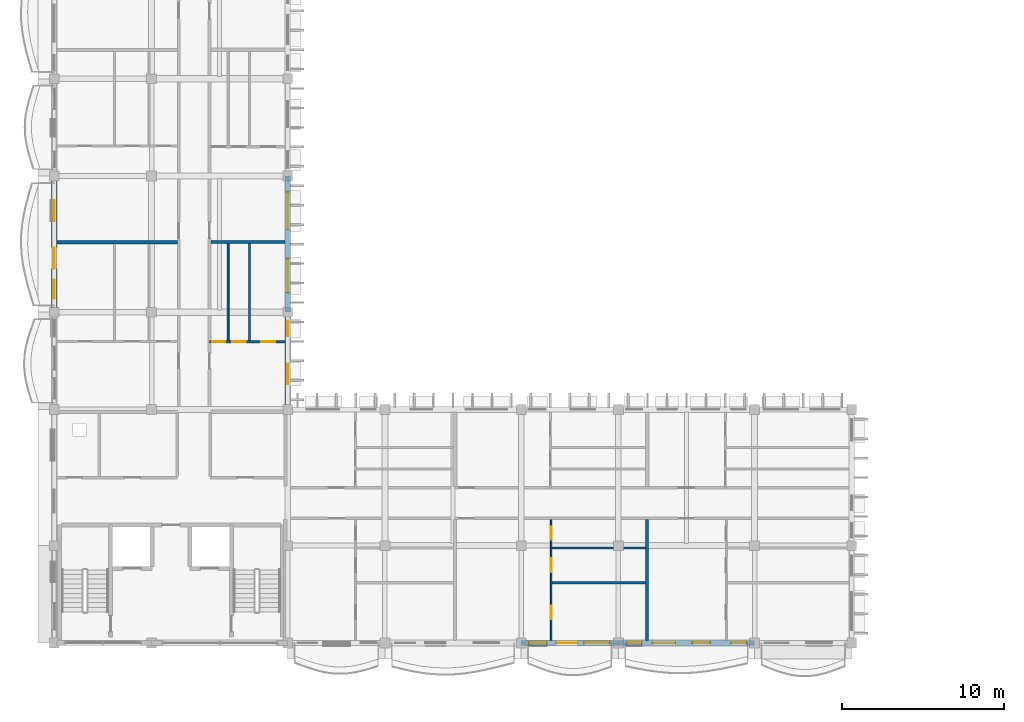
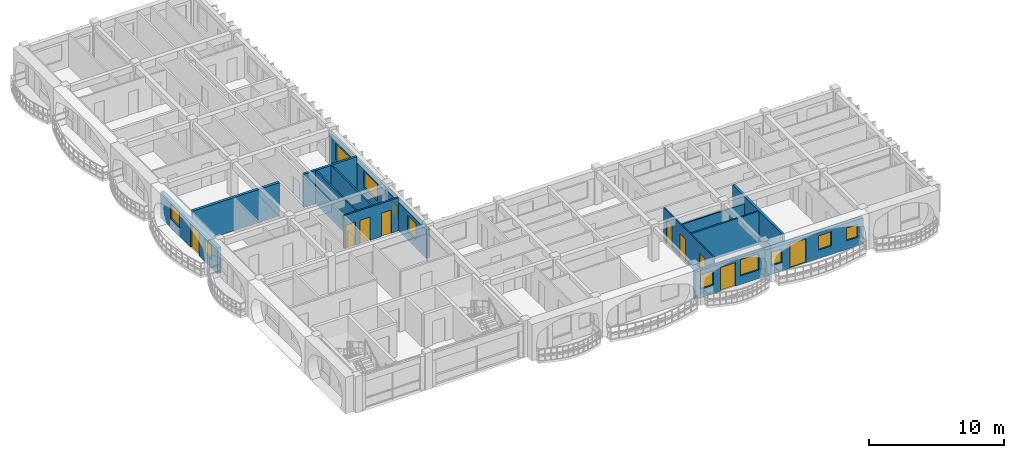
# One storey, part 16 of 70: 14 walls, 11 windows, 9 doors, 20 openings.
"""IFC4 building model written with IfcOpenShell, lengths in metres."""

from ifc_helpers import new_model, si_unit, direction, frame, frame_2d, origin, place, context, subcontext, project, spatial, rectangle, extrude, material, layer, layer_set, type_object, element, fill, save


model = new_model("IFC4")

# Units and contexts
model_context = context("Model", 3, precision=1e-05, world=origin(), true_north=direction((0.0, 1.0)))
body_context = subcontext(model_context, "Body", "Model", "MODEL_VIEW")
ifc_project = project(units=[si_unit("LENGTHUNIT", "METRE"), si_unit("AREAUNIT", "SQUARE_METRE"), si_unit("VOLUMEUNIT", "CUBIC_METRE"), si_unit("PLANEANGLEUNIT", "RADIAN"), si_unit("MASSUNIT", "GRAM", prefix="KILO"), si_unit("THERMODYNAMICTEMPERATUREUNIT", "KELVIN")], contexts=[model_context])

# Site, building, storey
site_placement = place(None, origin())
site = spatial("IfcSite", under=ifc_project, at=site_placement, CompositionType="ELEMENT")
building_placement = place(site_placement, origin())
building = spatial("IfcBuilding", under=site, at=building_placement, Name="Thalorik Housing Commons", CompositionType="ELEMENT")
storey_placement = place(building_placement, frame((0.0, 0.0, 14.699951171875)))
storey = spatial("IfcBuildingStorey", under=building, at=storey_placement, Name="L04", CompositionType="ELEMENT", Elevation=14.699951171875)

# Wall, openings, windows
ifc_material_1 = material(Name="White precast concrete C40/50", Category="concrete")
ifc_layer_1 = layer(ifc_material_1, 0.320068359375, Name="White precast concrete C40/50", Category="concrete")
ifc_layer_set_1 = layer_set([ifc_layer_1], Name="White precast concrete C40/50")
wall_type_1 = type_object("IfcWallType", Name="ARC-WAL-EXT-320", PredefinedType="STANDARD", material=ifc_layer_set_1)
wall_1_placement = place(storey_placement, frame((22.800048828125, 22.800048828125, 0.0), z_axis=(0.0, 0.0, 1.0), x_axis=(0.0, 1.0, 0.0)))
wall_1 = element("IfcWall", 1, at=wall_1_placement, inside=storey, type_object=wall_type_1, Name="L04 Exterior Wall WAL-EXT-L04-C-0933", PredefinedType="STANDARD", context=body_context, shape_type="SweptSolid", body=[
    extrude(rectangle(XDim=6.0, YDim=0.320068359375, at=frame_2d((3.0, 0.0))), origin(), (0.0, 0.0, 1.0), 2.574951171875),
])
opening_1_placement = place(wall_1_placement, frame((1.560302734375, 0.0, 0.780029296875)))
opening_1 = element("IfcOpeningElement", 2, at=opening_1_placement, cuts=wall_1, Name="Opening W-47", PredefinedType="OPENING", context=body_context, shape_type="SweptSolid", body=[
    extrude(rectangle(XDim=1.25, YDim=1.449951171875, at=frame_2d((0.625, 0.72509765625))), frame((0.0, 0.169921875, 0.0), z_axis=(0.0, -1.0, 0.0), x_axis=(1.0, 0.0, 0.0)), (0.0, 0.0, 1.0), 0.340087890625),
])
opening_2_placement = place(wall_1_placement, frame((4.5205078125, 0.0, 0.780029296875)))
opening_2 = element("IfcOpeningElement", 3, at=opening_2_placement, cuts=wall_1, Name="Opening W-43", PredefinedType="OPENING", context=body_context, shape_type="SweptSolid", body=[
    extrude(rectangle(XDim=0.949951171875, YDim=1.14990234375, at=frame_2d((0.47509765625, 0.574951171875))), frame((0.0, 0.169921875, 0.0), z_axis=(0.0, -1.0, 0.0), x_axis=(1.0, 0.0, 0.0)), (0.0, 0.0, 1.0), 0.340087890625),
])
ifc_material_2 = material(Name="Anodised aluminium and solar-control low-E glass", Category="aluminium")
window_type_1 = type_object("IfcWindowType", Name="ARC-WIN-43", PartitioningType="SINGLE_PANEL", PredefinedType="WINDOW", material=ifc_material_2)
window_1_placement = place(opening_2_placement, origin())
window_1 = element("IfcWindow", 4, at=window_1_placement, inside=storey, type_object=window_type_1, Name="L04 Facade Window 1721", OverallHeight=1.14990234375, OverallWidth=0.949951171875, PartitioningType="SINGLE_PANEL", PredefinedType="WINDOW", context=body_context, shape_type="SweptSolid", body=[
    extrude(rectangle(XDim=0.949951171875, YDim=1.14990234375, at=frame_2d((0.47509765625, 0.574951171875))), frame((0.0, 0.030029296875, 0.0), z_axis=(0.0, -1.0, 0.0), x_axis=(1.0, 0.0, 0.0)), (0.0, 0.0, 1.0), 0.06005859375),
])
fill(opening_2, window_1)
window_type_2 = type_object("IfcWindowType", Name="ARC-WIN-47", PartitioningType="SINGLE_PANEL", PredefinedType="WINDOW", material=ifc_material_2)
window_2_placement = place(opening_1_placement, origin())
window_2 = element("IfcWindow", 5, at=window_2_placement, inside=storey, type_object=window_type_2, Name="L04 Facade Window 1720", OverallHeight=1.449951171875, OverallWidth=1.25, PartitioningType="SINGLE_PANEL", PredefinedType="WINDOW", context=body_context, shape_type="SweptSolid", body=[
    extrude(rectangle(XDim=1.25, YDim=1.449951171875, at=frame_2d((0.625, 0.72509765625))), frame((0.0, 0.030029296875, 0.0), z_axis=(0.0, -1.0, 0.0), x_axis=(1.0, 0.0, 0.0)), (0.0, 0.0, 1.0), 0.06005859375),
])
fill(opening_1, window_2)

wall_2_placement = place(storey_placement, frame((22.800048828125, 28.800048828125, 0.0), z_axis=(0.0, 0.0, 1.0), x_axis=(0.0, 1.0, 0.0)))
wall_2 = element("IfcWall", 6, at=wall_2_placement, inside=storey, type_object=wall_type_1, Name="L04 Exterior Wall WAL-EXT-L04-C-0934", PredefinedType="STANDARD", context=body_context, shape_type="SweptSolid", body=[
    extrude(rectangle(XDim=8.39990234375, YDim=0.320068359375, at=frame_2d((4.199951171875, 0.0))), origin(), (0.0, 0.0, 1.0), 2.425048828125),
])
opening_3_placement = place(wall_2_placement, frame((1.215087890625, 0.0, 0.780029296875)))
opening_3 = element("IfcOpeningElement", 7, at=opening_3_placement, cuts=wall_2, Name="Opening W-63", PredefinedType="OPENING", context=body_context, shape_type="SweptSolid", body=[
    extrude(rectangle(XDim=2.080078125, YDim=1.52001953125, at=frame_2d((1.0400390625, 0.760009765625))), frame((0.0, 0.169921875, 0.0), z_axis=(0.0, -1.0, 0.0), x_axis=(1.0, 0.0, 0.0)), (0.0, 0.0, 1.0), 0.340087890625),
])
opening_4_placement = place(wall_2_placement, frame((5.10498046875, 0.0, 0.780029296875)))
opening_4 = element("IfcOpeningElement", 8, at=opening_4_placement, cuts=wall_2, Name="Opening W-68", PredefinedType="OPENING", context=body_context, shape_type="SweptSolid", body=[
    extrude(rectangle(XDim=2.320068359375, YDim=1.5, at=frame_2d((1.16015625, 0.75))), frame((0.0, 0.169921875, 0.0), z_axis=(0.0, -1.0, 0.0), x_axis=(1.0, 0.0, 0.0)), (0.0, 0.0, 1.0), 0.340087890625),
])
window_type_3 = type_object("IfcWindowType", Name="ARC-WIN-63", PartitioningType="DOUBLE_PANEL_VERTICAL", PredefinedType="WINDOW", material=ifc_material_2)
window_3_placement = place(opening_3_placement, origin())
window_3 = element("IfcWindow", 9, at=window_3_placement, inside=storey, type_object=window_type_3, Name="L04 Facade Window 1722", OverallHeight=1.52001953125, OverallWidth=2.080078125, PartitioningType="DOUBLE_PANEL_VERTICAL", PredefinedType="WINDOW", context=body_context, shape_type="SweptSolid", body=[
    extrude(rectangle(XDim=2.080078125, YDim=1.52001953125, at=frame_2d((1.0400390625, 0.760009765625))), frame((0.0, 0.030029296875, 0.0), z_axis=(0.0, -1.0, 0.0), x_axis=(1.0, 0.0, 0.0)), (0.0, 0.0, 1.0), 0.06005859375),
])
fill(opening_3, window_3)
window_type_4 = type_object("IfcWindowType", Name="ARC-WIN-68", PartitioningType="DOUBLE_PANEL_VERTICAL", PredefinedType="WINDOW", material=ifc_material_2)
window_4_placement = place(opening_4_placement, origin())
window_4 = element("IfcWindow", 10, at=window_4_placement, inside=storey, type_object=window_type_4, Name="L04 Facade Window 1723", OverallHeight=1.5, OverallWidth=2.320068359375, PartitioningType="DOUBLE_PANEL_VERTICAL", PredefinedType="WINDOW", context=body_context, shape_type="SweptSolid", body=[
    extrude(rectangle(XDim=2.320068359375, YDim=1.5, at=frame_2d((1.16015625, 0.75))), frame((0.0, 0.030029296875, 0.0), z_axis=(0.0, -1.0, 0.0), x_axis=(1.0, 0.0, 0.0)), (0.0, 0.0, 1.0), 0.06005859375),
])
fill(opening_4, window_4)

# Wall, openings, door, windows
wall_3_placement = place(storey_placement, frame((8.39990234375, 37.199951171875, 0.0), z_axis=(0.0, 0.0, 1.0), x_axis=(0.0, -1.0, 0.0)))
wall_3 = element("IfcWall", 11, at=wall_3_placement, inside=storey, type_object=wall_type_1, Name="L04 Exterior Wall WAL-EXT-L04-C-0943", PredefinedType="STANDARD", context=body_context, shape_type="SweptSolid", body=[
    extrude(rectangle(XDim=8.39990234375, YDim=0.320068359375, at=frame_2d((4.199951171875, 0.0))), origin(), (0.0, 0.0, 1.0), 2.344970703125),
])
opening_5_placement = place(wall_3_placement, frame((4.409912109375, 0.0, 0.0)))
opening_5 = element("IfcOpeningElement", 12, at=opening_5_placement, cuts=wall_3, Name="Opening ED-0311", PredefinedType="OPENING", context=body_context, shape_type="SweptSolid", body=[
    extrude(rectangle(XDim=1.300048828125, YDim=2.14990234375, at=frame_2d((0.64990234375, 1.074951171875))), frame((0.0, 0.169921875, 0.0), z_axis=(0.0, -1.0, 0.0), x_axis=(1.0, 0.0, 0.0)), (0.0, 0.0, 1.0), 0.340087890625),
])
opening_6_placement = place(wall_3_placement, frame((1.485107421875, 0.0, 0.780029296875)))
opening_6 = element("IfcOpeningElement", 13, at=opening_6_placement, cuts=wall_3, Name="Opening W-06", PredefinedType="OPENING", context=body_context, shape_type="SweptSolid", body=[
    extrude(rectangle(XDim=1.300048828125, YDim=1.39990234375, at=frame_2d((0.64990234375, 0.699951171875))), frame((0.0, 0.169921875, 0.0), z_axis=(0.0, -1.0, 0.0), x_axis=(1.0, 0.0, 0.0)), (0.0, 0.0, 1.0), 0.340087890625),
])
opening_7_placement = place(wall_3_placement, frame((6.409912109375, 0.0, 0.780029296875)))
opening_7 = element("IfcOpeningElement", 14, at=opening_7_placement, cuts=wall_3, Name="Opening W-45", PredefinedType="OPENING", context=body_context, shape_type="SweptSolid", body=[
    extrude(rectangle(XDim=1.14990234375, YDim=1.25, at=frame_2d((0.574951171875, 0.625))), frame((0.0, 0.169921875, 0.0), z_axis=(0.0, -1.0, 0.0), x_axis=(1.0, 0.0, 0.0)), (0.0, 0.0, 1.0), 0.340087890625),
])
ifc_material_3 = material(Name="Anodised aluminium and laminated safety glass", Category="aluminium")
door_type_1 = type_object("IfcDoorType", Name="ARC-DR-BAL-1300", OperationType="NOTDEFINED", PredefinedType="DOOR", material=ifc_material_3)
door_1_placement = place(opening_5_placement, frame((1.300048828125, 0.0, 0.0), z_axis=(0.0, 0.0, 1.0), x_axis=(-1.0, 0.0, 0.0)))
door_1 = element("IfcDoor", 15, at=door_1_placement, inside=storey, type_object=door_type_1, Name="L04 Block C Balcony Glazed Door", OperationType="SINGLE_SWING_RIGHT", OverallHeight=2.14990234375, OverallWidth=1.300048828125, PredefinedType="DOOR", context=body_context, shape_type="SweptSolid", body=[
    extrude(rectangle(XDim=1.300048828125, YDim=2.14990234375, at=frame_2d((0.64990234375, 1.074951171875))), frame((0.0, 0.02490234375, 0.0), z_axis=(0.0, -1.0, 0.0), x_axis=(1.0, 0.0, 0.0)), (0.0, 0.0, 1.0), 0.050048828125),
])
fill(opening_5, door_1)
window_type_5 = type_object("IfcWindowType", Name="ARC-WIN-06", PartitioningType="SINGLE_PANEL", PredefinedType="WINDOW", material=ifc_material_2)
window_5_placement = place(opening_6_placement, origin())
window_5 = element("IfcWindow", 16, at=window_5_placement, inside=storey, type_object=window_type_5, Name="L04 Facade Window 1743", OverallHeight=1.39990234375, OverallWidth=1.300048828125, PartitioningType="SINGLE_PANEL", PredefinedType="WINDOW", context=body_context, shape_type="SweptSolid", body=[
    extrude(rectangle(XDim=1.300048828125, YDim=1.39990234375, at=frame_2d((0.64990234375, 0.699951171875))), frame((0.0, 0.030029296875, 0.0), z_axis=(0.0, -1.0, 0.0), x_axis=(1.0, 0.0, 0.0)), (0.0, 0.0, 1.0), 0.06005859375),
])
fill(opening_6, window_5)
window_type_6 = type_object("IfcWindowType", Name="ARC-WIN-45", PartitioningType="SINGLE_PANEL", PredefinedType="WINDOW", material=ifc_material_2)
window_6_placement = place(opening_7_placement, origin())
window_6 = element("IfcWindow", 17, at=window_6_placement, inside=storey, type_object=window_type_6, Name="L04 Facade Window 1744", OverallHeight=1.25, OverallWidth=1.14990234375, PartitioningType="SINGLE_PANEL", PredefinedType="WINDOW", context=body_context, shape_type="SweptSolid", body=[
    extrude(rectangle(XDim=1.14990234375, YDim=1.25, at=frame_2d((0.574951171875, 0.625))), frame((0.0, 0.030029296875, 0.0), z_axis=(0.0, -1.0, 0.0), x_axis=(1.0, 0.0, 0.0)), (0.0, 0.0, 1.0), 0.06005859375),
])
fill(opening_7, window_6)

wall_4_placement = place(storey_placement, frame((37.199951171875, 8.39990234375, 0.0), z_axis=(0.0, 0.0, 1.0), x_axis=(1.0, 0.0, 0.0)))
wall_4 = element("IfcWall", 18, at=wall_4_placement, inside=storey, type_object=wall_type_1, Name="L04 Exterior Wall WAL-EXT-L04-C-0951", PredefinedType="STANDARD", context=body_context, shape_type="SweptSolid", body=[
    extrude(rectangle(XDim=6.0, YDim=0.320068359375, at=frame_2d((3.0, 0.0))), origin(), (0.0, 0.0, 1.0), 2.47509765625),
])
opening_8_placement = place(wall_4_placement, frame((2.179931640625, 0.0, 0.0)))
opening_8 = element("IfcOpeningElement", 19, at=opening_8_placement, cuts=wall_4, Name="Opening ED-0315", PredefinedType="OPENING", context=body_context, shape_type="SweptSolid", body=[
    extrude(rectangle(XDim=1.300048828125, YDim=2.14990234375, at=frame_2d((0.64990234375, 1.074951171875))), frame((0.0, 0.169921875, 0.0), z_axis=(0.0, -1.0, 0.0), x_axis=(1.0, 0.0, 0.0)), (0.0, 0.0, 1.0), 0.340087890625),
])
opening_9_placement = place(wall_4_placement, frame((0.469970703125, 0.0, 0.780029296875)))
opening_9 = element("IfcOpeningElement", 20, at=opening_9_placement, cuts=wall_4, Name="Opening W-03", PredefinedType="OPENING", context=body_context, shape_type="SweptSolid", body=[
    extrude(rectangle(XDim=1.10009765625, YDim=1.300048828125, at=frame_2d((0.550048828125, 0.64990234375))), frame((0.0, 0.169921875, 0.0), z_axis=(0.0, -1.0, 0.0), x_axis=(1.0, 0.0, 0.0)), (0.0, 0.0, 1.0), 0.340087890625),
])
opening_10_placement = place(wall_4_placement, frame((3.8798828125, 0.0, 0.780029296875)))
opening_10 = element("IfcOpeningElement", 21, at=opening_10_placement, cuts=wall_4, Name="Opening W-53", PredefinedType="OPENING", context=body_context, shape_type="SweptSolid", body=[
    extrude(rectangle(XDim=1.580078125, YDim=1.47998046875, at=frame_2d((0.7900390625, 0.739990234375))), frame((0.0, 0.169921875, 0.0), z_axis=(0.0, -1.0, 0.0), x_axis=(1.0, 0.0, 0.0)), (0.0, 0.0, 1.0), 0.340087890625),
])
door_2_placement = place(opening_8_placement, frame((1.300048828125, 0.0, 0.0), z_axis=(0.0, 0.0, 1.0), x_axis=(-1.0, 0.0, 0.0)))
door_2 = element("IfcDoor", 22, at=door_2_placement, inside=storey, type_object=door_type_1, Name="L04 Block C Balcony Glazed Door", OperationType="SINGLE_SWING_RIGHT", OverallHeight=2.14990234375, OverallWidth=1.300048828125, PredefinedType="DOOR", context=body_context, shape_type="SweptSolid", body=[
    extrude(rectangle(XDim=1.300048828125, YDim=2.14990234375, at=frame_2d((0.64990234375, 1.074951171875))), frame((0.0, 0.02490234375, 0.0), z_axis=(0.0, -1.0, 0.0), x_axis=(1.0, 0.0, 0.0)), (0.0, 0.0, 1.0), 0.050048828125),
])
fill(opening_8, door_2)
window_type_7 = type_object("IfcWindowType", Name="ARC-WIN-03", PartitioningType="SINGLE_PANEL", PredefinedType="WINDOW", material=ifc_material_2)
window_7_placement = place(opening_9_placement, origin())
window_7 = element("IfcWindow", 23, at=window_7_placement, inside=storey, type_object=window_type_7, Name="L04 Facade Window 1755", OverallHeight=1.300048828125, OverallWidth=1.10009765625, PartitioningType="SINGLE_PANEL", PredefinedType="WINDOW", context=body_context, shape_type="SweptSolid", body=[
    extrude(rectangle(XDim=1.10009765625, YDim=1.300048828125, at=frame_2d((0.550048828125, 0.64990234375))), frame((0.0, 0.030029296875, 0.0), z_axis=(0.0, -1.0, 0.0), x_axis=(1.0, 0.0, 0.0)), (0.0, 0.0, 1.0), 0.06005859375),
])
fill(opening_9, window_7)
window_type_8 = type_object("IfcWindowType", Name="ARC-WIN-53", PartitioningType="SINGLE_PANEL", PredefinedType="WINDOW", material=ifc_material_2)
window_8_placement = place(opening_10_placement, origin())
window_8 = element("IfcWindow", 24, at=window_8_placement, inside=storey, type_object=window_type_8, Name="L04 Facade Window 1756", OverallHeight=1.47998046875, OverallWidth=1.580078125, PartitioningType="SINGLE_PANEL", PredefinedType="WINDOW", context=body_context, shape_type="SweptSolid", body=[
    extrude(rectangle(XDim=1.580078125, YDim=1.47998046875, at=frame_2d((0.7900390625, 0.739990234375))), frame((0.0, 0.030029296875, 0.0), z_axis=(0.0, -1.0, 0.0), x_axis=(1.0, 0.0, 0.0)), (0.0, 0.0, 1.0), 0.06005859375),
])
fill(opening_10, window_8)

wall_5_placement = place(storey_placement, frame((43.199951171875, 8.39990234375, 0.0), z_axis=(0.0, 0.0, 1.0), x_axis=(1.0, 0.0, 0.0)))
wall_5 = element("IfcWall", 25, at=wall_5_placement, inside=storey, type_object=wall_type_1, Name="L04 Exterior Wall WAL-EXT-L04-C-0952", PredefinedType="STANDARD", context=body_context, shape_type="SweptSolid", body=[
    extrude(rectangle(XDim=8.400146484375, YDim=0.320068359375, at=frame_2d((4.2001953125, 0.0))), origin(), (0.0, 0.0, 1.0), 2.375),
])
opening_11_placement = place(wall_5_placement, frame((2.110107421875, 0.0, 0.0)))
opening_11 = element("IfcOpeningElement", 26, at=opening_11_placement, cuts=wall_5, Name="Opening ED-0316", PredefinedType="OPENING", context=body_context, shape_type="SweptSolid", body=[
    extrude(rectangle(XDim=1.39990234375, YDim=2.199951171875, at=frame_2d((0.699951171875, 1.10009765625))), frame((0.0, 0.169921875, 0.0), z_axis=(0.0, -1.0, 0.0), x_axis=(1.0, 0.0, 0.0)), (0.0, 0.0, 1.0), 0.340087890625),
])
opening_12_placement = place(wall_5_placement, frame((0.534912109375, 0.0, 0.780029296875)))
opening_12 = element("IfcOpeningElement", 27, at=opening_12_placement, cuts=wall_5, Name="Opening W-01", PredefinedType="OPENING", context=body_context, shape_type="SweptSolid", body=[
    extrude(rectangle(XDim=0.89990234375, YDim=1.199951171875, at=frame_2d((0.449951171875, 0.60009765625))), frame((0.0, 0.169921875, 0.0), z_axis=(0.0, -1.0, 0.0), x_axis=(1.0, 0.0, 0.0)), (0.0, 0.0, 1.0), 0.340087890625),
])
opening_13_placement = place(wall_5_placement, frame((4.56005859375, 0.0, 0.780029296875)))
opening_13 = element("IfcOpeningElement", 28, at=opening_13_placement, cuts=wall_5, Name="Opening W-03", PredefinedType="OPENING", context=body_context, shape_type="SweptSolid", body=[
    extrude(rectangle(XDim=1.10009765625, YDim=1.300048828125, at=frame_2d((0.550048828125, 0.64990234375))), frame((0.0, 0.169921875, 0.0), z_axis=(0.0, -1.0, 0.0), x_axis=(1.0, 0.0, 0.0)), (0.0, 0.0, 1.0), 0.340087890625),
])
opening_14_placement = place(wall_5_placement, frame((6.9599609375, 0.0, 0.780029296875)))
opening_14 = element("IfcOpeningElement", 29, at=opening_14_placement, cuts=wall_5, Name="Opening W-43", PredefinedType="OPENING", context=body_context, shape_type="SweptSolid", body=[
    extrude(rectangle(XDim=0.949951171875, YDim=1.14990234375, at=frame_2d((0.47509765625, 0.574951171875))), frame((0.0, 0.169921875, 0.0), z_axis=(0.0, -1.0, 0.0), x_axis=(1.0, 0.0, 0.0)), (0.0, 0.0, 1.0), 0.340087890625),
])
door_type_2 = type_object("IfcDoorType", Name="ARC-DR-BAL-1400", OperationType="NOTDEFINED", PredefinedType="DOOR", material=ifc_material_3)
door_3_placement = place(opening_11_placement, frame((1.39990234375, 0.0, 0.0), z_axis=(0.0, 0.0, 1.0), x_axis=(-1.0, 0.0, 0.0)))
door_3 = element("IfcDoor", 30, at=door_3_placement, inside=storey, type_object=door_type_2, Name="L04 Block C Balcony Glazed Door", OperationType="SLIDING_TO_LEFT", OverallHeight=2.199951171875, OverallWidth=1.39990234375, PredefinedType="DOOR", context=body_context, shape_type="SweptSolid", body=[
    extrude(rectangle(XDim=1.39990234375, YDim=2.199951171875, at=frame_2d((0.699951171875, 1.10009765625))), frame((0.0, 0.02490234375, 0.0), z_axis=(0.0, -1.0, 0.0), x_axis=(1.0, 0.0, 0.0)), (0.0, 0.0, 1.0), 0.050048828125),
])
fill(opening_11, door_3)
window_type_9 = type_object("IfcWindowType", Name="ARC-WIN-01", PartitioningType="SINGLE_PANEL", PredefinedType="WINDOW", material=ifc_material_2)
window_9_placement = place(opening_12_placement, origin())
window_9 = element("IfcWindow", 31, at=window_9_placement, inside=storey, type_object=window_type_9, Name="L04 Facade Window 1757", OverallHeight=1.199951171875, OverallWidth=0.89990234375, PartitioningType="SINGLE_PANEL", PredefinedType="WINDOW", context=body_context, shape_type="SweptSolid", body=[
    extrude(rectangle(XDim=0.89990234375, YDim=1.199951171875, at=frame_2d((0.449951171875, 0.60009765625))), frame((0.0, 0.030029296875, 0.0), z_axis=(0.0, -1.0, 0.0), x_axis=(1.0, 0.0, 0.0)), (0.0, 0.0, 1.0), 0.06005859375),
])
fill(opening_12, window_9)
window_10_placement = place(opening_13_placement, origin())
window_10 = element("IfcWindow", 32, at=window_10_placement, inside=storey, type_object=window_type_7, Name="L04 Facade Window 1758", OverallHeight=1.300048828125, OverallWidth=1.10009765625, PartitioningType="SINGLE_PANEL", PredefinedType="WINDOW", context=body_context, shape_type="SweptSolid", body=[
    extrude(rectangle(XDim=1.10009765625, YDim=1.300048828125, at=frame_2d((0.550048828125, 0.64990234375))), frame((0.0, 0.030029296875, 0.0), z_axis=(0.0, -1.0, 0.0), x_axis=(1.0, 0.0, 0.0)), (0.0, 0.0, 1.0), 0.06005859375),
])
fill(opening_13, window_10)
window_11_placement = place(opening_14_placement, origin())
window_11 = element("IfcWindow", 33, at=window_11_placement, inside=storey, type_object=window_type_1, Name="L04 Facade Window 1759", OverallHeight=1.14990234375, OverallWidth=0.949951171875, PartitioningType="SINGLE_PANEL", PredefinedType="WINDOW", context=body_context, shape_type="SweptSolid", body=[
    extrude(rectangle(XDim=0.949951171875, YDim=1.14990234375, at=frame_2d((0.47509765625, 0.574951171875))), frame((0.0, 0.030029296875, 0.0), z_axis=(0.0, -1.0, 0.0), x_axis=(1.0, 0.0, 0.0)), (0.0, 0.0, 1.0), 0.06005859375),
])
fill(opening_14, window_11)

# Wall, openings, doors
ifc_material_4 = material(Name="Gypsum light stud partition", Category="masonry")
ifc_layer_2 = layer(ifc_material_4, 0.10009765625, Name="Gypsum light stud partition", Category="masonry")
ifc_layer_set_2 = layer_set([ifc_layer_2], Name="Gypsum light stud partition")
wall_type_2 = type_object("IfcWallType", Name="ARC-WAL-PART-100", PredefinedType="PARTITIONING", material=ifc_layer_set_2)
wall_6_placement = place(storey_placement, frame((39.050048828125, 8.56201171875, 0.0), z_axis=(0.0, 0.0, 1.0), x_axis=(0.0, 1.0, 0.0)))
wall_6 = element("IfcWall", 34, at=wall_6_placement, inside=storey, type_object=wall_type_2, Name="L04 Unit 2 Spine Partition", PredefinedType="PARTITIONING", context=body_context, shape_type="SweptSolid", body=[
    extrude(rectangle(XDim=7.44091796875, YDim=0.10009765625, at=frame_2d((3.720458984375, 0.0))), origin(), (0.0, 0.0, 1.0), 3.0),
])
opening_15_placement = place(wall_6_placement, frame((1.3017578125, 0.0, 0.0)))
opening_15 = element("IfcOpeningElement", 35, at=opening_15_placement, cuts=wall_6, Name="Opening ID-1728", PredefinedType="OPENING", context=body_context, shape_type="SweptSolid", body=[
    extrude(rectangle(XDim=0.820068359375, YDim=2.080078125, at=frame_2d((0.41015625, 1.0400390625))), frame((0.0, 0.06005859375, 0.0), z_axis=(0.0, -1.0, 0.0), x_axis=(1.0, 0.0, 0.0)), (0.0, 0.0, 1.0), 0.1201171875),
])
opening_16_placement = place(wall_6_placement, frame((4.197509765625, 0.0, 0.0)))
opening_16 = element("IfcOpeningElement", 36, at=opening_16_placement, cuts=wall_6, Name="Opening ID-1729", PredefinedType="OPENING", context=body_context, shape_type="SweptSolid", body=[
    extrude(rectangle(XDim=0.85009765625, YDim=2.10009765625, at=frame_2d((0.425048828125, 1.050048828125))), frame((0.0, 0.06005859375, 0.0), z_axis=(0.0, -1.0, 0.0), x_axis=(1.0, 0.0, 0.0)), (0.0, 0.0, 1.0), 0.1201171875),
])
opening_17_placement = place(wall_6_placement, frame((6.20361328125, 0.0, 0.0)))
opening_17 = element("IfcOpeningElement", 37, at=opening_17_placement, cuts=wall_6, Name="Opening ID-1730", PredefinedType="OPENING", context=body_context, shape_type="SweptSolid", body=[
    extrude(rectangle(XDim=0.800048828125, YDim=2.10009765625, at=frame_2d((0.39990234375, 1.050048828125))), frame((0.0, 0.06005859375, 0.0), z_axis=(0.0, -1.0, 0.0), x_axis=(1.0, 0.0, 0.0)), (0.0, 0.0, 1.0), 0.1201171875),
])
ifc_material_5 = material(Name="Moisture-resistant timber", Category="wood")
door_type_3 = type_object("IfcDoorType", Name="ARC-DR-INT-800", OperationType="NOTDEFINED", PredefinedType="DOOR", material=ifc_material_5)
door_4_placement = place(opening_17_placement, origin())
door_4 = element("IfcDoor", 38, at=door_4_placement, inside=storey, type_object=door_type_3, Name="L04 Flat Bathroom Door", OperationType="SINGLE_SWING_LEFT", OverallHeight=2.10009765625, OverallWidth=0.800048828125, PredefinedType="DOOR", context=body_context, shape_type="SweptSolid", body=[
    extrude(rectangle(XDim=0.800048828125, YDim=2.10009765625, at=frame_2d((0.39990234375, 1.050048828125))), frame((0.0, 0.02490234375, 0.0), z_axis=(0.0, -1.0, 0.0), x_axis=(1.0, 0.0, 0.0)), (0.0, 0.0, 1.0), 0.050048828125),
])
fill(opening_17, door_4)
ifc_material_6 = material(Name="Engineered oak timber", Category="wood")
door_type_4 = type_object("IfcDoorType", Name="ARC-DR-INT-820", OperationType="NOTDEFINED", PredefinedType="DOOR", material=ifc_material_6)
door_5_placement = place(opening_15_placement, origin())
door_5 = element("IfcDoor", 39, at=door_5_placement, inside=storey, type_object=door_type_4, Name="L04 Master Bedroom Door", OperationType="SINGLE_SWING_LEFT", OverallHeight=2.080078125, OverallWidth=0.820068359375, PredefinedType="DOOR", context=body_context, shape_type="SweptSolid", body=[
    extrude(rectangle(XDim=0.820068359375, YDim=2.080078125, at=frame_2d((0.41015625, 1.0400390625))), frame((0.0, 0.02490234375, 0.0), z_axis=(0.0, -1.0, 0.0), x_axis=(1.0, 0.0, 0.0)), (0.0, 0.0, 1.0), 0.050048828125),
])
fill(opening_15, door_5)
door_type_5 = type_object("IfcDoorType", Name="ARC-DR-INT-850", OperationType="NOTDEFINED", PredefinedType="DOOR", material=ifc_material_6)
door_6_placement = place(opening_16_placement, origin())
door_6 = element("IfcDoor", 40, at=door_6_placement, inside=storey, type_object=door_type_5, Name="L04 Galley Kitchen Door", OperationType="SINGLE_SWING_RIGHT", OverallHeight=2.10009765625, OverallWidth=0.85009765625, PredefinedType="DOOR", context=body_context, shape_type="SweptSolid", body=[
    extrude(rectangle(XDim=0.85009765625, YDim=2.10009765625, at=frame_2d((0.425048828125, 1.050048828125))), frame((0.0, 0.02490234375, 0.0), z_axis=(0.0, -1.0, 0.0), x_axis=(1.0, 0.0, 0.0)), (0.0, 0.0, 1.0), 0.050048828125),
])
fill(opening_16, door_6)

# Walls
ifc_material_7 = material(Name="Gypsum moisture-resistant partition", Category="masonry")
ifc_layer_3 = layer(ifc_material_7, 0.114990234375, Name="Gypsum moisture-resistant partition", Category="masonry")
ifc_layer_set_3 = layer_set([ifc_layer_3], Name="Gypsum moisture-resistant partition")
wall_type_3 = type_object("IfcWallType", Name="ARC-WAL-PART-115", PredefinedType="PARTITIONING", material=ifc_layer_set_3)
wall_7_placement = place(storey_placement, frame((19.122314453125, 27.052734375, 0.0), z_axis=(0.0, 0.0, 1.0), x_axis=(0.0, 1.0, 0.0)))
element("IfcWall", 41, at=wall_7_placement, inside=storey, type_object=wall_type_3, Name="L04 Unit 1B Wet Wall", PredefinedType="PARTITIONING", context=body_context, shape_type="SweptSolid", body=[
    extrude(rectangle(XDim=5.97265625, YDim=0.114990234375, at=frame_2d((2.986328125, 0.0))), origin(), (0.0, 0.0, 1.0), 3.0),
])
ifc_material_8 = material(Name="Gypsum acoustic stud partition", Category="masonry")
ifc_layer_4 = layer(ifc_material_8, 0.125, Name="Gypsum acoustic stud partition", Category="masonry")
ifc_layer_set_4 = layer_set([ifc_layer_4], Name="Gypsum acoustic stud partition")
wall_type_4 = type_object("IfcWallType", Name="ARC-WAL-PART-125", PredefinedType="PARTITIONING", material=ifc_layer_set_4)
wall_8_placement = place(storey_placement, frame((20.455078125, 27.052734375, 0.0), z_axis=(0.0, 0.0, 1.0), x_axis=(0.0, 1.0, 0.0)))
element("IfcWall", 42, at=wall_8_placement, inside=storey, type_object=wall_type_4, Name="L04 Unit 1B Bedroom Partition", PredefinedType="PARTITIONING", context=body_context, shape_type="SweptSolid", body=[
    extrude(rectangle(XDim=5.97265625, YDim=0.125, at=frame_2d((2.986328125, 0.0))), origin(), (0.0, 0.0, 1.0), 3.0),
])
wall_9_placement = place(storey_placement, frame((39.10205078125, 14.251220703125, 0.0), z_axis=(0.0, 0.0, 1.0), x_axis=(1.0, 0.0, 0.0)))
element("IfcWall", 43, at=wall_9_placement, inside=storey, type_object=wall_type_4, Name="L04 Unit 2 Wet Wall", PredefinedType="PARTITIONING", context=body_context, shape_type="SweptSolid", body=[
    extrude(rectangle(XDim=5.783447265625, YDim=0.125, at=frame_2d((2.8916015625, 0.0))), origin(), (0.0, 0.0, 1.0), 2.375),
])

# Wall, openings, doors
ifc_material_9 = material(Name="Ceramic masonry partition wall", Category="masonry")
ifc_layer_5 = layer(ifc_material_9, 0.139892578125, Name="Ceramic masonry partition wall", Category="masonry")
ifc_layer_set_5 = layer_set([ifc_layer_5], Name="Ceramic masonry partition wall")
wall_type_5 = type_object("IfcWallType", Name="ARC-WAL-PART-140", PredefinedType="PARTITIONING", material=ifc_layer_set_5)
wall_10_placement = place(storey_placement, frame((17.97998046875, 26.980712890625, 0.0), z_axis=(0.0, 0.0, 1.0), x_axis=(1.0, 0.0, 0.0)))
wall_10 = element("IfcWall", 44, at=wall_10_placement, inside=storey, type_object=wall_type_5, Name="L04 Unit 1B Spine Partition", PredefinedType="PARTITIONING", context=body_context, shape_type="SweptSolid", body=[
    extrude(rectangle(XDim=4.657958984375, YDim=0.139892578125, at=frame_2d((2.3291015625, 0.0))), origin(), (0.0, 0.0, 1.0), 3.0),
])
opening_18_placement = place(wall_10_placement, frame((0.171142578125, 0.0, 0.0)))
opening_18 = element("IfcOpeningElement", 45, at=opening_18_placement, cuts=wall_10, Name="Opening ID-1701", PredefinedType="OPENING", context=body_context, shape_type="SweptSolid", body=[
    extrude(rectangle(XDim=0.800048828125, YDim=2.10009765625, at=frame_2d((0.39990234375, 1.050048828125))), frame((0.0, 0.080078125, 0.0), z_axis=(0.0, -1.0, 0.0), x_axis=(1.0, 0.0, 0.0)), (0.0, 0.0, 1.0), 0.159912109375),
])
opening_19_placement = place(wall_10_placement, frame((1.3837890625, 0.0, 0.0)))
opening_19 = element("IfcOpeningElement", 46, at=opening_19_placement, cuts=wall_10, Name="Opening ID-1702", PredefinedType="OPENING", context=body_context, shape_type="SweptSolid", body=[
    extrude(rectangle(XDim=0.85009765625, YDim=2.10009765625, at=frame_2d((0.425048828125, 1.050048828125))), frame((0.0, 0.080078125, 0.0), z_axis=(0.0, -1.0, 0.0), x_axis=(1.0, 0.0, 0.0)), (0.0, 0.0, 1.0), 0.159912109375),
])
opening_20_placement = place(wall_10_placement, frame((3.192626953125, 0.0, 0.0)))
opening_20 = element("IfcOpeningElement", 47, at=opening_20_placement, cuts=wall_10, Name="Opening ID-1703", PredefinedType="OPENING", context=body_context, shape_type="SweptSolid", body=[
    extrude(rectangle(XDim=0.85009765625, YDim=2.10009765625, at=frame_2d((0.425048828125, 1.050048828125))), frame((0.0, 0.080078125, 0.0), z_axis=(0.0, -1.0, 0.0), x_axis=(1.0, 0.0, 0.0)), (0.0, 0.0, 1.0), 0.159912109375),
])
door_7_placement = place(opening_18_placement, origin())
door_7 = element("IfcDoor", 48, at=door_7_placement, inside=storey, type_object=door_type_3, Name="L04 Flat Bathroom Door", OperationType="SINGLE_SWING_RIGHT", OverallHeight=2.10009765625, OverallWidth=0.800048828125, PredefinedType="DOOR", context=body_context, shape_type="SweptSolid", body=[
    extrude(rectangle(XDim=0.800048828125, YDim=2.10009765625, at=frame_2d((0.39990234375, 1.050048828125))), frame((0.0, 0.02490234375, 0.0), z_axis=(0.0, -1.0, 0.0), x_axis=(1.0, 0.0, 0.0)), (0.0, 0.0, 1.0), 0.050048828125),
])
fill(opening_18, door_7)
door_8_placement = place(opening_19_placement, origin())
door_8 = element("IfcDoor", 49, at=door_8_placement, inside=storey, type_object=door_type_5, Name="L04 Eat-In Kitchen Door", OperationType="SINGLE_SWING_LEFT", OverallHeight=2.10009765625, OverallWidth=0.85009765625, PredefinedType="DOOR", context=body_context, shape_type="SweptSolid", body=[
    extrude(rectangle(XDim=0.85009765625, YDim=2.10009765625, at=frame_2d((0.425048828125, 1.050048828125))), frame((0.0, 0.02490234375, 0.0), z_axis=(0.0, -1.0, 0.0), x_axis=(1.0, 0.0, 0.0)), (0.0, 0.0, 1.0), 0.050048828125),
])
fill(opening_19, door_8)
door_9_placement = place(opening_20_placement, origin())
door_9 = element("IfcDoor", 50, at=door_9_placement, inside=storey, type_object=door_type_5, Name="L04 Master Bedroom Door", OperationType="SINGLE_SWING_RIGHT", OverallHeight=2.10009765625, OverallWidth=0.85009765625, PredefinedType="DOOR", context=body_context, shape_type="SweptSolid", body=[
    extrude(rectangle(XDim=0.85009765625, YDim=2.10009765625, at=frame_2d((0.425048828125, 1.050048828125))), frame((0.0, 0.02490234375, 0.0), z_axis=(0.0, -1.0, 0.0), x_axis=(1.0, 0.0, 0.0)), (0.0, 0.0, 1.0), 0.050048828125),
])
fill(opening_20, door_9)

# Walls
wall_11_placement = place(storey_placement, frame((39.10205078125, 12.11767578125, 0.0), z_axis=(0.0, 0.0, 1.0), x_axis=(1.0, 0.0, 0.0)))
element("IfcWall", 51, at=wall_11_placement, inside=storey, type_object=wall_type_5, Name="L04 Unit 2 Bedroom Partition", PredefinedType="PARTITIONING", context=body_context, shape_type="SweptSolid", body=[
    extrude(rectangle(XDim=5.783447265625, YDim=0.139892578125, at=frame_2d((2.8916015625, 0.0))), origin(), (0.0, 0.0, 1.0), 3.0),
])
ifc_material_10 = material(Name="Masonry acoustic blockwork wall", Category="masonry")
ifc_layer_6 = layer(ifc_material_10, 0.18505859375, Name="Masonry acoustic blockwork wall", Category="masonry")
ifc_layer_set_6 = layer_set([ifc_layer_6], Name="Masonry acoustic blockwork wall")
wall_type_6 = type_object("IfcWallType", Name="ARC-WAL-PARTY-185", PredefinedType="PARTITIONING", material=ifc_layer_set_6)
wall_12_placement = place(storey_placement, frame((18.064453125, 33.1201171875, 0.0), z_axis=(0.0, 0.0, 1.0), x_axis=(1.0, 0.0, 0.0)))
element("IfcWall", 52, at=wall_12_placement, inside=storey, type_object=wall_type_6, Name="L04 Inter-Tenancy Wall 1B", PredefinedType="PARTITIONING", context=body_context, shape_type="SweptSolid", body=[
    extrude(rectangle(XDim=4.573486328125, YDim=0.18505859375, at=frame_2d((2.28662109375, 0.0))), origin(), (0.0, 0.0, 1.0), 3.0),
])
wall_13_placement = place(storey_placement, frame((44.97998046875, 8.56201171875, 0.0), z_axis=(0.0, 0.0, 1.0), x_axis=(0.0, 1.0, 0.0)))
element("IfcWall", 53, at=wall_13_placement, inside=storey, type_object=wall_type_6, Name="L04 Inter-Tenancy Wall 2A", PredefinedType="PARTITIONING", context=body_context, shape_type="SweptSolid", body=[
    extrude(rectangle(XDim=7.44091796875, YDim=0.18505859375, at=frame_2d((3.720458984375, 0.0))), origin(), (0.0, 0.0, 1.0), 3.0),
])
ifc_material_11 = material(Name="Precast concrete C40/50 acoustic wall", Category="concrete")
ifc_layer_7 = layer(ifc_material_11, 0.219970703125, Name="Precast concrete C40/50 acoustic wall", Category="concrete")
ifc_layer_set_7 = layer_set([ifc_layer_7], Name="Precast concrete C40/50 acoustic wall")
wall_type_7 = type_object("IfcWallType", Name="ARC-WAL-PARTY-220", PredefinedType="PARTITIONING", material=ifc_layer_set_7)
wall_14_placement = place(storey_placement, frame((8.56201171875, 33.1201171875, 0.0), z_axis=(0.0, 0.0, 1.0), x_axis=(1.0, 0.0, 0.0)))
element("IfcWall", 54, at=wall_14_placement, inside=storey, type_object=wall_type_7, Name="L04 Inter-Tenancy Wall 1A", PredefinedType="PARTITIONING", context=body_context, shape_type="SweptSolid", body=[
    extrude(rectangle(XDim=7.44091796875, YDim=0.219970703125, at=frame_2d((3.720458984375, 0.0))), origin(), (0.0, 0.0, 1.0), 3.0),
])

save(model, "model.ifc")
